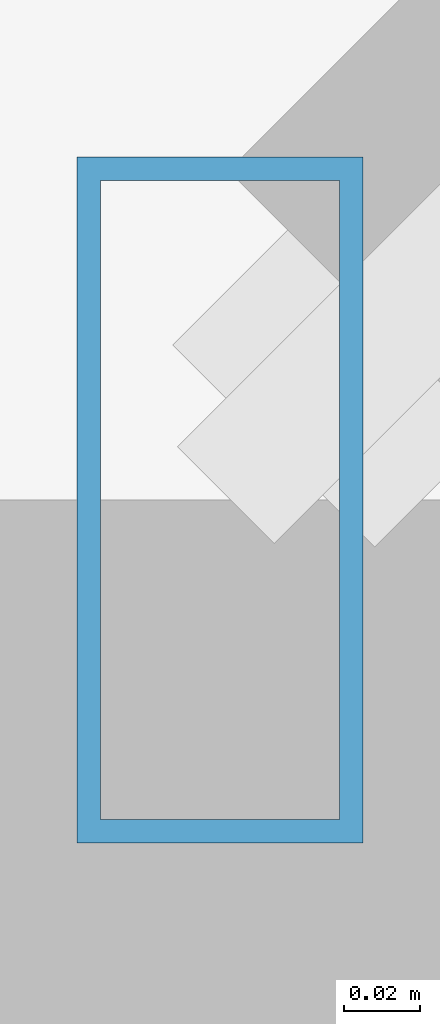
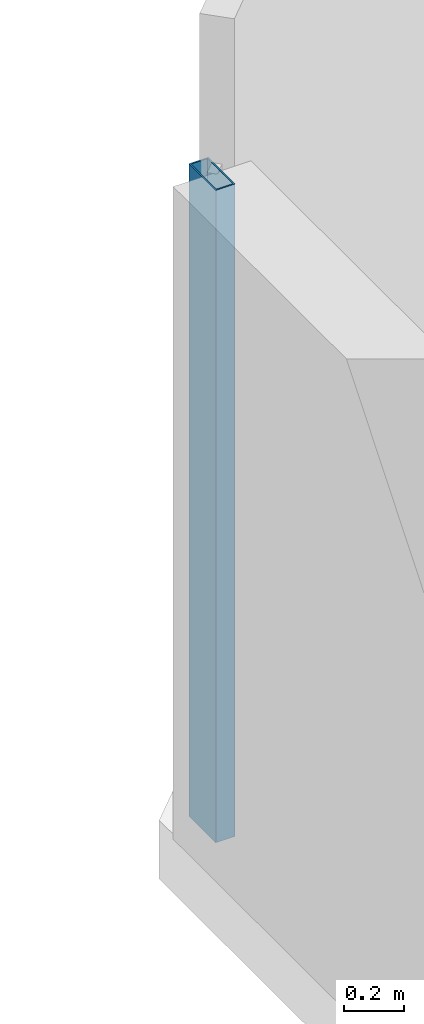
# One storey, part 13 of 35: 1 member, 1 element without a shape of its own.
"""IFC4 building model written with IfcOpenShell, lengths in metres."""

from ifc_helpers import new_model, si_unit, direction, frame, origin, origin_2d, place, context, subcontext, project, spatial, hollow_rectangle, extrude, material, material_profile, profile_set, type_object, element, aggregate, save


model = new_model("IFC4")

# Units and contexts
model_context = context("Model", 3, precision=1e-05, world=origin(), true_north=direction((0.0, 1.0)))
body_context = subcontext(model_context, "Body", "Model", "MODEL_VIEW")
ifc_project = project(units=[si_unit("LENGTHUNIT", "METRE"), si_unit("AREAUNIT", "SQUARE_METRE"), si_unit("VOLUMEUNIT", "CUBIC_METRE"), si_unit("PLANEANGLEUNIT", "RADIAN"), si_unit("MASSUNIT", "GRAM", prefix="KILO")], contexts=[model_context])

# Site, building, storey
site_placement = place(None, origin())
site = spatial("IfcSite", under=ifc_project, at=site_placement, CompositionType="ELEMENT")
building_placement = place(site_placement, origin())
building = spatial("IfcBuilding", under=site, at=building_placement, Name="Thornwick Lancets Civic Towers", CompositionType="ELEMENT")
storey_placement = place(building_placement, frame((0.0, 0.0, 276.300048828125)))
storey = spatial("IfcBuildingStorey", under=building, at=storey_placement, Name="L74", CompositionType="ELEMENT", Elevation=276.300048828125)

# Curtain wall, member
ifc_material_1 = material(Name="High-zone chamfered-corner unitised glass curtain wall", Category="glass")
curtain_wall_type = type_object("IfcCurtainWallType", Name="CW_SYS_05", PredefinedType="NOTDEFINED", material=ifc_material_1)
curtain_wall_placement = place(storey_placement, origin())
curtain_wall = element("IfcCurtainWall", 1, at=curtain_wall_placement, inside=storey, type_object=curtain_wall_type, Name="L74 Curtain Wall CW-L74-B-E5", PredefinedType="NOTDEFINED")
ifc_material_2 = material(Name="Thermally broken bronze aluminium S355", Category="steel")
ifc_material_profile = material_profile(ifc_material_2, hollow_rectangle(XDim=0.074951171875, YDim=0.179931640625, WallThickness=0.006103515625, at=origin_2d()), Name="RHS 180x75x6")
ifc_profile_set = profile_set([ifc_material_profile], Name="Thermally broken bronze aluminium S355")
member_type = type_object("IfcMemberType", Name="CW_MUL_180", PredefinedType="MULLION", material=ifc_profile_set)
member_placement = place(storey_placement, frame((70.7353515625, 48.181396484375, 0.0), z_axis=(0.0, 0.0, 1.0), x_axis=(1.0, 0.0, 0.0)))
member = element("IfcMember", 2, at=member_placement, type_object=member_type, Name="CW-L74-B-E5 Mullion 1", PredefinedType="MULLION", context=body_context, shape_type="SweptSolid", body=[
    extrude(hollow_rectangle(XDim=0.074951171875, YDim=0.179931640625, WallThickness=0.006103515625, at=origin_2d()), origin(), (0.0, 0.0, 1.0), 2.659912109375),
])
aggregate(curtain_wall, [member])

save(model, "model.ifc")
